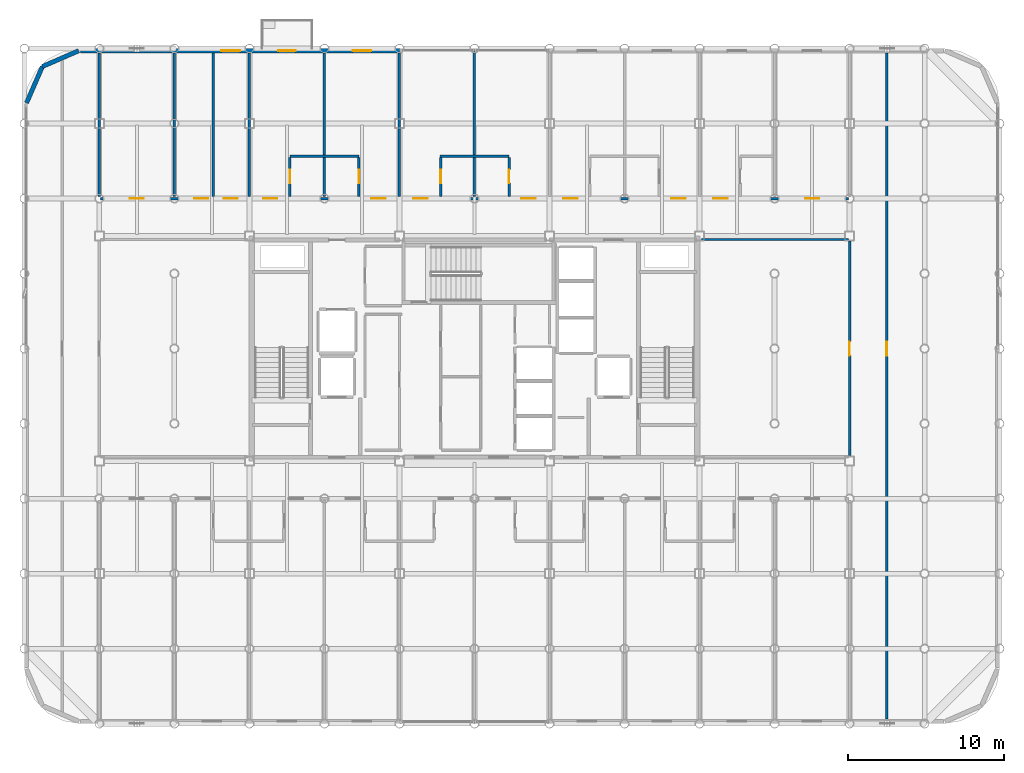
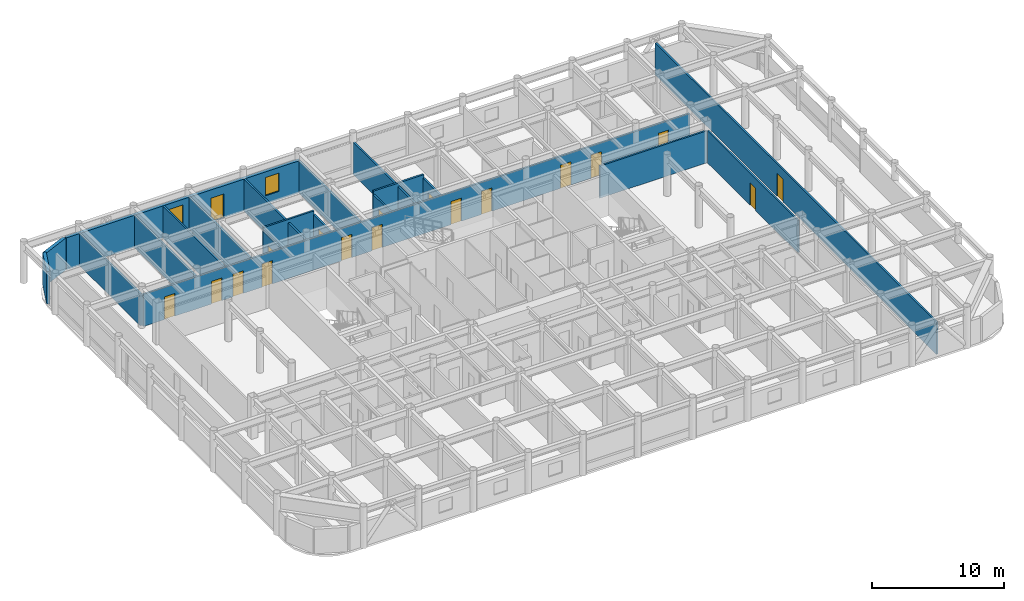
# One storey, part 20 of 23: 20 walls, 18 doors, 2 windows, 20 openings.
"""IFC4 building model written with IfcOpenShell, lengths in metres."""

from ifc_helpers import new_model, si_unit, direction, frame, frame_2d, origin, place, context, subcontext, project, spatial, rectangle, extrude, material, layer, layer_set, type_object, element, fill, save


model = new_model("IFC4")

# Units and contexts
model_context = context("Model", 3, precision=1e-05, world=origin(), true_north=direction((0.0, 1.0)))
body_context = subcontext(model_context, "Body", "Model", "MODEL_VIEW")
ifc_project = project(units=[si_unit("LENGTHUNIT", "METRE"), si_unit("AREAUNIT", "SQUARE_METRE"), si_unit("VOLUMEUNIT", "CUBIC_METRE"), si_unit("PLANEANGLEUNIT", "RADIAN"), si_unit("MASSUNIT", "GRAM", prefix="KILO")], contexts=[model_context])

# Site, building, storey
site_placement = place(None, origin())
site = spatial("IfcSite", under=ifc_project, at=site_placement, CompositionType="ELEMENT")
building_placement = place(site_placement, origin())
building = spatial("IfcBuilding", under=site, at=building_placement, Name="Kallvorn Hotel Tower", CompositionType="ELEMENT")
storey_placement = place(building_placement, frame((0.0, 0.0, 195.35009765625)))
storey = spatial("IfcBuildingStorey", under=building, at=storey_placement, Name="L48", CompositionType="ELEMENT", Elevation=195.35009765625)

# Wall, openings, doors
ifc_material_1 = material(Name="Fire-rated double-layer acoustic gypsum drywall EI 60")
ifc_layer_1 = layer(ifc_material_1, 0.159912109375)
ifc_layer_set_1 = layer_set([ifc_layer_1], Name="WL_DEMISE_160")
wall_type_1 = type_object("IfcWallType", Name="WL_DEMISE_160", PredefinedType="PARTITIONING", material=ifc_layer_set_1)
wall_1_placement = place(storey_placement, frame((-23.919921875, 9.60009765625, 0.0), z_axis=(0.0, 0.0, 1.0), x_axis=(1.0, 0.0, 0.0)))
wall_1 = element("IfcWall", 1, at=wall_1_placement, inside=storey, type_object=wall_type_1, Name="L48 Suite 4809 Standard Twin Room Partition", PredefinedType="PARTITIONING", context=body_context, shape_type="SweptSolid", body=[
    extrude(rectangle(XDim=47.83984375, YDim=0.159912109375, at=frame_2d((23.919921875, 0.0))), origin(), (0.0, 0.0, 1.0), 2.969970703125),
])
opening_1_placement = place(wall_1_placement, frame((1.8701171875, 0.0, 0.0)))
opening_1 = element("IfcOpeningElement", 2, at=opening_1_placement, cuts=wall_1, Name="Opening SVD1", PredefinedType="OPENING", context=body_context, shape_type="SweptSolid", body=[
    extrude(rectangle(XDim=0.89990234375, YDim=2.10009765625, at=frame_2d((0.449951171875, 1.050048828125))), frame((0.0, 0.094970703125, 0.0), z_axis=(0.0, -1.0, 0.0), x_axis=(1.0, 0.0, 0.0)), (0.0, 0.0, 1.0), 0.18994140625),
])
opening_2_placement = place(wall_1_placement, frame((45.070068359375, 0.0, 0.0)))
opening_2 = element("IfcOpeningElement", 3, at=opening_2_placement, cuts=wall_1, Name="Opening SVD1", PredefinedType="OPENING", context=body_context, shape_type="SweptSolid", body=[
    extrude(rectangle(XDim=0.89990234375, YDim=2.10009765625, at=frame_2d((0.449951171875, 1.050048828125))), frame((0.0, 0.094970703125, 0.0), z_axis=(0.0, -1.0, 0.0), x_axis=(1.0, 0.0, 0.0)), (0.0, 0.0, 1.0), 0.18994140625),
])
opening_3_placement = place(wall_1_placement, frame((5.97998046875, 0.0, 0.0)))
opening_3 = element("IfcOpeningElement", 4, at=opening_3_placement, cuts=wall_1, Name="Opening SVD1", PredefinedType="OPENING", context=body_context, shape_type="SweptSolid", body=[
    extrude(rectangle(XDim=0.89990234375, YDim=2.10009765625, at=frame_2d((0.449951171875, 1.050048828125))), frame((0.0, 0.094970703125, 0.0), z_axis=(0.0, -1.0, 0.0), x_axis=(1.0, 0.0, 0.0)), (0.0, 0.0, 1.0), 0.18994140625),
])
opening_4_placement = place(wall_1_placement, frame((7.8701171875, 0.0, 0.0)))
opening_4 = element("IfcOpeningElement", 5, at=opening_4_placement, cuts=wall_1, Name="Opening SVD1", PredefinedType="OPENING", context=body_context, shape_type="SweptSolid", body=[
    extrude(rectangle(XDim=0.89990234375, YDim=2.10009765625, at=frame_2d((0.449951171875, 1.050048828125))), frame((0.0, 0.094970703125, 0.0), z_axis=(0.0, -1.0, 0.0), x_axis=(1.0, 0.0, 0.0)), (0.0, 0.0, 1.0), 0.18994140625),
])
opening_5_placement = place(wall_1_placement, frame((10.39501953125, 0.0, 0.0)))
opening_5 = element("IfcOpeningElement", 6, at=opening_5_placement, cuts=wall_1, Name="Opening GD1", PredefinedType="OPENING", context=body_context, shape_type="SweptSolid", body=[
    extrude(rectangle(XDim=0.919921875, YDim=2.14990234375, at=frame_2d((0.4599609375, 1.074951171875))), frame((0.0, 0.094970703125, 0.0), z_axis=(0.0, -1.0, 0.0), x_axis=(1.0, 0.0, 0.0)), (0.0, 0.0, 1.0), 0.18994140625),
])
opening_6_placement = place(wall_1_placement, frame((17.324951171875, 0.0, 0.0)))
opening_6 = element("IfcOpeningElement", 7, at=opening_6_placement, cuts=wall_1, Name="Opening GD1", PredefinedType="OPENING", context=body_context, shape_type="SweptSolid", body=[
    extrude(rectangle(XDim=0.919921875, YDim=2.14990234375, at=frame_2d((0.4599609375, 1.074951171875))), frame((0.0, 0.094970703125, 0.0), z_axis=(0.0, -1.0, 0.0), x_axis=(1.0, 0.0, 0.0)), (0.0, 0.0, 1.0), 0.18994140625),
])
opening_7_placement = place(wall_1_placement, frame((19.9951171875, 0.0, 0.0)))
opening_7 = element("IfcOpeningElement", 8, at=opening_7_placement, cuts=wall_1, Name="Opening GD1", PredefinedType="OPENING", context=body_context, shape_type="SweptSolid", body=[
    extrude(rectangle(XDim=0.919921875, YDim=2.14990234375, at=frame_2d((0.4599609375, 1.074951171875))), frame((0.0, 0.094970703125, 0.0), z_axis=(0.0, -1.0, 0.0), x_axis=(1.0, 0.0, 0.0)), (0.0, 0.0, 1.0), 0.18994140625),
])
opening_8_placement = place(wall_1_placement, frame((26.925048828125, 0.0, 0.0)))
opening_8 = element("IfcOpeningElement", 9, at=opening_8_placement, cuts=wall_1, Name="Opening GD1", PredefinedType="OPENING", context=body_context, shape_type="SweptSolid", body=[
    extrude(rectangle(XDim=0.919921875, YDim=2.14990234375, at=frame_2d((0.4599609375, 1.074951171875))), frame((0.0, 0.094970703125, 0.0), z_axis=(0.0, -1.0, 0.0), x_axis=(1.0, 0.0, 0.0)), (0.0, 0.0, 1.0), 0.18994140625),
])
opening_9_placement = place(wall_1_placement, frame((29.594970703125, 0.0, 0.0)))
opening_9 = element("IfcOpeningElement", 10, at=opening_9_placement, cuts=wall_1, Name="Opening GD1", PredefinedType="OPENING", context=body_context, shape_type="SweptSolid", body=[
    extrude(rectangle(XDim=0.919921875, YDim=2.14990234375, at=frame_2d((0.4599609375, 1.074951171875))), frame((0.0, 0.094970703125, 0.0), z_axis=(0.0, -1.0, 0.0), x_axis=(1.0, 0.0, 0.0)), (0.0, 0.0, 1.0), 0.18994140625),
])
opening_10_placement = place(wall_1_placement, frame((36.52490234375, 0.0, 0.0)))
opening_10 = element("IfcOpeningElement", 11, at=opening_10_placement, cuts=wall_1, Name="Opening GD1", PredefinedType="OPENING", context=body_context, shape_type="SweptSolid", body=[
    extrude(rectangle(XDim=0.919921875, YDim=2.14990234375, at=frame_2d((0.4599609375, 1.074951171875))), frame((0.0, 0.094970703125, 0.0), z_axis=(0.0, -1.0, 0.0), x_axis=(1.0, 0.0, 0.0)), (0.0, 0.0, 1.0), 0.18994140625),
])
opening_11_placement = place(wall_1_placement, frame((39.195068359375, 0.0, 0.0)))
opening_11 = element("IfcOpeningElement", 12, at=opening_11_placement, cuts=wall_1, Name="Opening GD1", PredefinedType="OPENING", context=body_context, shape_type="SweptSolid", body=[
    extrude(rectangle(XDim=0.919921875, YDim=2.14990234375, at=frame_2d((0.4599609375, 1.074951171875))), frame((0.0, 0.094970703125, 0.0), z_axis=(0.0, -1.0, 0.0), x_axis=(1.0, 0.0, 0.0)), (0.0, 0.0, 1.0), 0.18994140625),
])
ifc_material_2 = material(Name="Solid-core walnut veneer fire-rated timber door leaf", Category="wood")
door_type_1 = type_object("IfcDoorType", Name="DR_GUEST_920x2150", OperationType="NOTDEFINED", PredefinedType="DOOR", material=ifc_material_2)
door_1_placement = place(opening_5_placement, origin())
door_1 = element("IfcDoor", 13, at=door_1_placement, inside=storey, type_object=door_type_1, Name="L48 Suite 4809 Standard Twin Room Door", OperationType="SINGLE_SWING_RIGHT", OverallHeight=2.14990234375, OverallWidth=0.919921875, PredefinedType="DOOR", context=body_context, shape_type="SweptSolid", body=[
    extrude(rectangle(XDim=0.919921875, YDim=2.14990234375, at=frame_2d((0.4599609375, 1.074951171875))), frame((0.0, 0.02490234375, 0.0), z_axis=(0.0, -1.0, 0.0), x_axis=(1.0, 0.0, 0.0)), (0.0, 0.0, 1.0), 0.050048828125),
])
fill(opening_5, door_1)
door_2_placement = place(opening_6_placement, origin())
door_2 = element("IfcDoor", 14, at=door_2_placement, inside=storey, type_object=door_type_1, Name="L48 Suite 4810 Standard Twin Room Door", OperationType="SINGLE_SWING_LEFT", OverallHeight=2.14990234375, OverallWidth=0.919921875, PredefinedType="DOOR", context=body_context, shape_type="SweptSolid", body=[
    extrude(rectangle(XDim=0.919921875, YDim=2.14990234375, at=frame_2d((0.4599609375, 1.074951171875))), frame((0.0, 0.02490234375, 0.0), z_axis=(0.0, -1.0, 0.0), x_axis=(1.0, 0.0, 0.0)), (0.0, 0.0, 1.0), 0.050048828125),
])
fill(opening_6, door_2)
door_3_placement = place(opening_7_placement, origin())
door_3 = element("IfcDoor", 15, at=door_3_placement, inside=storey, type_object=door_type_1, Name="L48 Suite 4811 Standard Twin Room Door", OperationType="SINGLE_SWING_LEFT", OverallHeight=2.14990234375, OverallWidth=0.919921875, PredefinedType="DOOR", context=body_context, shape_type="SweptSolid", body=[
    extrude(rectangle(XDim=0.919921875, YDim=2.14990234375, at=frame_2d((0.4599609375, 1.074951171875))), frame((0.0, 0.02490234375, 0.0), z_axis=(0.0, -1.0, 0.0), x_axis=(1.0, 0.0, 0.0)), (0.0, 0.0, 1.0), 0.050048828125),
])
fill(opening_7, door_3)
door_4_placement = place(opening_8_placement, origin())
door_4 = element("IfcDoor", 16, at=door_4_placement, inside=storey, type_object=door_type_1, Name="L48 Suite 4812 Standard Twin Room Door", OperationType="SINGLE_SWING_RIGHT", OverallHeight=2.14990234375, OverallWidth=0.919921875, PredefinedType="DOOR", context=body_context, shape_type="SweptSolid", body=[
    extrude(rectangle(XDim=0.919921875, YDim=2.14990234375, at=frame_2d((0.4599609375, 1.074951171875))), frame((0.0, 0.02490234375, 0.0), z_axis=(0.0, -1.0, 0.0), x_axis=(1.0, 0.0, 0.0)), (0.0, 0.0, 1.0), 0.050048828125),
])
fill(opening_8, door_4)
door_5_placement = place(opening_9_placement, origin())
door_5 = element("IfcDoor", 17, at=door_5_placement, inside=storey, type_object=door_type_1, Name="L48 Suite 4813 Standard Twin Room Door", OperationType="SINGLE_SWING_LEFT", OverallHeight=2.14990234375, OverallWidth=0.919921875, PredefinedType="DOOR", context=body_context, shape_type="SweptSolid", body=[
    extrude(rectangle(XDim=0.919921875, YDim=2.14990234375, at=frame_2d((0.4599609375, 1.074951171875))), frame((0.0, 0.02490234375, 0.0), z_axis=(0.0, -1.0, 0.0), x_axis=(1.0, 0.0, 0.0)), (0.0, 0.0, 1.0), 0.050048828125),
])
fill(opening_9, door_5)
door_6_placement = place(opening_10_placement, origin())
door_6 = element("IfcDoor", 18, at=door_6_placement, inside=storey, type_object=door_type_1, Name="L48 Suite 4814 Standard Twin Room Door", OperationType="SINGLE_SWING_RIGHT", OverallHeight=2.14990234375, OverallWidth=0.919921875, PredefinedType="DOOR", context=body_context, shape_type="SweptSolid", body=[
    extrude(rectangle(XDim=0.919921875, YDim=2.14990234375, at=frame_2d((0.4599609375, 1.074951171875))), frame((0.0, 0.02490234375, 0.0), z_axis=(0.0, -1.0, 0.0), x_axis=(1.0, 0.0, 0.0)), (0.0, 0.0, 1.0), 0.050048828125),
])
fill(opening_10, door_6)
door_7_placement = place(opening_11_placement, origin())
door_7 = element("IfcDoor", 19, at=door_7_placement, inside=storey, type_object=door_type_1, Name="L48 Suite 4815 Standard Twin Room Door", OperationType="SINGLE_SWING_LEFT", OverallHeight=2.14990234375, OverallWidth=0.919921875, PredefinedType="DOOR", context=body_context, shape_type="SweptSolid", body=[
    extrude(rectangle(XDim=0.919921875, YDim=2.14990234375, at=frame_2d((0.4599609375, 1.074951171875))), frame((0.0, 0.02490234375, 0.0), z_axis=(0.0, -1.0, 0.0), x_axis=(1.0, 0.0, 0.0)), (0.0, 0.0, 1.0), 0.050048828125),
])
fill(opening_11, door_7)
ifc_material_3 = material(Name="Galvanised painted steel fire-rated door assembly", Category="steel")
door_type_2 = type_object("IfcDoorType", Name="DR_SERV_900x2100", OperationType="NOTDEFINED", PredefinedType="DOOR", material=ifc_material_3)
door_8_placement = place(opening_1_placement, origin())
door_8 = element("IfcDoor", 20, at=door_8_placement, inside=storey, type_object=door_type_2, Name="L48 L48 High-Zone North-West Reading Salon Door", OperationType="SINGLE_SWING_LEFT", OverallHeight=2.10009765625, OverallWidth=0.89990234375, PredefinedType="DOOR", context=body_context, shape_type="SweptSolid", body=[
    extrude(rectangle(XDim=0.89990234375, YDim=2.10009765625, at=frame_2d((0.449951171875, 1.050048828125))), frame((0.0, 0.02490234375, 0.0), z_axis=(0.0, -1.0, 0.0), x_axis=(1.0, 0.0, 0.0)), (0.0, 0.0, 1.0), 0.050048828125),
])
fill(opening_1, door_8)
door_9_placement = place(opening_2_placement, origin())
door_9 = element("IfcDoor", 21, at=door_9_placement, inside=storey, type_object=door_type_2, Name="L48 L48 High-Zone North-East Pastry Bar Door", OperationType="SINGLE_SWING_RIGHT", OverallHeight=2.10009765625, OverallWidth=0.89990234375, PredefinedType="DOOR", context=body_context, shape_type="SweptSolid", body=[
    extrude(rectangle(XDim=0.89990234375, YDim=2.10009765625, at=frame_2d((0.449951171875, 1.050048828125))), frame((0.0, 0.02490234375, 0.0), z_axis=(0.0, -1.0, 0.0), x_axis=(1.0, 0.0, 0.0)), (0.0, 0.0, 1.0), 0.050048828125),
])
fill(opening_2, door_9)
door_10_placement = place(opening_3_placement, origin())
door_10 = element("IfcDoor", 22, at=door_10_placement, inside=storey, type_object=door_type_2, Name="L48 Housekeeping and Linen Room Door", OperationType="SINGLE_SWING_LEFT", OverallHeight=2.10009765625, OverallWidth=0.89990234375, PredefinedType="DOOR", context=body_context, shape_type="SweptSolid", body=[
    extrude(rectangle(XDim=0.89990234375, YDim=2.10009765625, at=frame_2d((0.449951171875, 1.050048828125))), frame((0.0, 0.02490234375, 0.0), z_axis=(0.0, -1.0, 0.0), x_axis=(1.0, 0.0, 0.0)), (0.0, 0.0, 1.0), 0.050048828125),
])
fill(opening_3, door_10)
door_11_placement = place(opening_4_placement, origin())
door_11 = element("IfcDoor", 23, at=door_11_placement, inside=storey, type_object=door_type_2, Name="L48 Guest Tea and Refreshment Bar Door", OperationType="SINGLE_SWING_LEFT", OverallHeight=2.10009765625, OverallWidth=0.89990234375, PredefinedType="DOOR", context=body_context, shape_type="SweptSolid", body=[
    extrude(rectangle(XDim=0.89990234375, YDim=2.10009765625, at=frame_2d((0.449951171875, 1.050048828125))), frame((0.0, 0.02490234375, 0.0), z_axis=(0.0, -1.0, 0.0), x_axis=(1.0, 0.0, 0.0)), (0.0, 0.0, 1.0), 0.050048828125),
])
fill(opening_4, door_11)

# Walls
wall_2_placement = place(storey_placement, frame((-11.81005859375, 12.320068359375, 0.0), z_axis=(0.0, 0.0, 1.0), x_axis=(1.0, 0.0, 0.0)))
element("IfcWall", 24, at=wall_2_placement, inside=storey, type_object=wall_type_1, Name="L48 Suite 4809 Standard Twin Room Partition", PredefinedType="PARTITIONING", context=body_context, shape_type="SweptSolid", body=[
    extrude(rectangle(XDim=4.420166015625, YDim=0.159912109375, at=frame_2d((2.2099609375, 0.0))), origin(), (0.0, 0.0, 1.0), 3.27001953125),
])
wall_3_placement = place(storey_placement, frame((-2.2099609375, 12.320068359375, 0.0), z_axis=(0.0, 0.0, 1.0), x_axis=(1.0, 0.0, 0.0)))
element("IfcWall", 25, at=wall_3_placement, inside=storey, type_object=wall_type_1, Name="L48 Suite 4811 Standard Twin Room Partition", PredefinedType="PARTITIONING", context=body_context, shape_type="SweptSolid", body=[
    extrude(rectangle(XDim=4.419921875, YDim=0.159912109375, at=frame_2d((2.2099609375, 0.0))), origin(), (0.0, 0.0, 1.0), 3.27001953125),
])
wall_4_placement = place(storey_placement, frame((-14.39990234375, 9.719970703125, 0.0), z_axis=(0.0, 0.0, 1.0), x_axis=(0.0, 1.0, 0.0)))
element("IfcWall", 26, at=wall_4_placement, inside=storey, type_object=wall_type_1, Name="L48 Suite 4809 Standard Twin Room Partition", PredefinedType="PARTITIONING", context=body_context, shape_type="SweptSolid", body=[
    extrude(rectangle(XDim=9.18994140625, YDim=0.159912109375, at=frame_2d((4.594970703125, 0.0))), origin(), (0.0, 0.0, 1.0), 2.969970703125),
])

# Wall, opening, door
wall_5_placement = place(storey_placement, frame((-11.81005859375, 9.719970703125, 0.0), z_axis=(0.0, 0.0, 1.0), x_axis=(0.0, 1.0, 0.0)))
wall_5 = element("IfcWall", 27, at=wall_5_placement, inside=storey, type_object=wall_type_1, Name="L48 Suite 4809 Standard Twin Room Partition", PredefinedType="PARTITIONING", context=body_context, shape_type="SweptSolid", body=[
    extrude(rectangle(XDim=2.51513671875, YDim=0.159912109375, at=frame_2d((1.257568359375, 0.0))), origin(), (0.0, 0.0, 1.0), 2.969970703125),
])
opening_12_placement = place(wall_5_placement, frame((0.8701171875, 0.0, 0.0)))
opening_12 = element("IfcOpeningElement", 28, at=opening_12_placement, cuts=wall_5, Name="Opening BD-I", PredefinedType="OPENING", context=body_context, shape_type="SweptSolid", body=[
    extrude(rectangle(XDim=0.860107421875, YDim=2.10009765625, at=frame_2d((0.43017578125, 1.050048828125))), frame((0.0, 0.094970703125, 0.0), z_axis=(0.0, -1.0, 0.0), x_axis=(1.0, 0.0, 0.0)), (0.0, 0.0, 1.0), 0.18994140625),
])
ifc_material_4 = material(Name="Solid-core walnut veneer fire-rated timber door leaf", Category="wood")
door_type_3 = type_object("IfcDoorType", Name="DR_BATH_860x2100", OperationType="NOTDEFINED", PredefinedType="DOOR", material=ifc_material_4)
door_12_placement = place(opening_12_placement, origin())
door_12 = element("IfcDoor", 29, at=door_12_placement, inside=storey, type_object=door_type_3, Name="L48 Suite 4809 En-Suite Bathroom Door", OperationType="SINGLE_SWING_RIGHT", OverallHeight=2.10009765625, OverallWidth=0.860107421875, PredefinedType="DOOR", context=body_context, shape_type="SweptSolid", body=[
    extrude(rectangle(XDim=0.860107421875, YDim=2.10009765625, at=frame_2d((0.43017578125, 1.050048828125))), frame((0.0, 0.02490234375, 0.0), z_axis=(0.0, -1.0, 0.0), x_axis=(1.0, 0.0, 0.0)), (0.0, 0.0, 1.0), 0.050048828125),
])
fill(opening_12, door_12)

# Wall
wall_6_placement = place(storey_placement, frame((-9.60009765625, 9.719970703125, 0.0), z_axis=(0.0, 0.0, 1.0), x_axis=(0.0, 1.0, 0.0)))
element("IfcWall", 30, at=wall_6_placement, inside=storey, type_object=wall_type_1, Name="L48 Suite 4809 Standard Twin Room Partition", PredefinedType="PARTITIONING", context=body_context, shape_type="SweptSolid", body=[
    extrude(rectangle(XDim=9.18994140625, YDim=0.159912109375, at=frame_2d((4.594970703125, 0.0))), origin(), (0.0, 0.0, 1.0), 2.969970703125),
])

# Wall, opening, door
wall_7_placement = place(storey_placement, frame((-7.389892578125, 9.719970703125, 0.0), z_axis=(0.0, 0.0, 1.0), x_axis=(0.0, 1.0, 0.0)))
wall_7 = element("IfcWall", 31, at=wall_7_placement, inside=storey, type_object=wall_type_1, Name="L48 Suite 4810 Standard Twin Room Partition", PredefinedType="PARTITIONING", context=body_context, shape_type="SweptSolid", body=[
    extrude(rectangle(XDim=2.51513671875, YDim=0.159912109375, at=frame_2d((1.257568359375, 0.0))), origin(), (0.0, 0.0, 1.0), 2.969970703125),
])
opening_13_placement = place(wall_7_placement, frame((0.8701171875, 0.0, 0.0)))
opening_13 = element("IfcOpeningElement", 32, at=opening_13_placement, cuts=wall_7, Name="Opening BD-I", PredefinedType="OPENING", context=body_context, shape_type="SweptSolid", body=[
    extrude(rectangle(XDim=0.860107421875, YDim=2.10009765625, at=frame_2d((0.43017578125, 1.050048828125))), frame((0.0, 0.094970703125, 0.0), z_axis=(0.0, -1.0, 0.0), x_axis=(1.0, 0.0, 0.0)), (0.0, 0.0, 1.0), 0.18994140625),
])
door_13_placement = place(opening_13_placement, origin())
door_13 = element("IfcDoor", 33, at=door_13_placement, inside=storey, type_object=door_type_3, Name="L48 Suite 4810 En-Suite Bathroom Door", OperationType="SINGLE_SWING_LEFT", OverallHeight=2.10009765625, OverallWidth=0.860107421875, PredefinedType="DOOR", context=body_context, shape_type="SweptSolid", body=[
    extrude(rectangle(XDim=0.860107421875, YDim=2.10009765625, at=frame_2d((0.43017578125, 1.050048828125))), frame((0.0, 0.02490234375, 0.0), z_axis=(0.0, -1.0, 0.0), x_axis=(1.0, 0.0, 0.0)), (0.0, 0.0, 1.0), 0.050048828125),
])
fill(opening_13, door_13)

# Wall
wall_8_placement = place(storey_placement, frame((-4.800048828125, 9.719970703125, 0.0), z_axis=(0.0, 0.0, 1.0), x_axis=(0.0, 1.0, 0.0)))
element("IfcWall", 34, at=wall_8_placement, inside=storey, type_object=wall_type_1, Name="L48 Suite 4810 Standard Twin Room Partition", PredefinedType="PARTITIONING", context=body_context, shape_type="SweptSolid", body=[
    extrude(rectangle(XDim=9.18994140625, YDim=0.159912109375, at=frame_2d((4.594970703125, 0.0))), origin(), (0.0, 0.0, 1.0), 2.969970703125),
])

# Wall, opening, door
wall_9_placement = place(storey_placement, frame((-2.155029296875, 9.719970703125, 0.0), z_axis=(0.0, 0.0, 1.0), x_axis=(0.0, 1.0, 0.0)))
wall_9 = element("IfcWall", 35, at=wall_9_placement, inside=storey, type_object=wall_type_1, Name="L48 Suite 4811 Standard Twin Room Partition", PredefinedType="PARTITIONING", context=body_context, shape_type="SweptSolid", body=[
    extrude(rectangle(XDim=2.51513671875, YDim=0.159912109375, at=frame_2d((1.257568359375, 0.0))), origin(), (0.0, 0.0, 1.0), 2.969970703125),
])
opening_14_placement = place(wall_9_placement, frame((0.8701171875, 0.0, 0.0)))
opening_14 = element("IfcOpeningElement", 36, at=opening_14_placement, cuts=wall_9, Name="Opening BD-I", PredefinedType="OPENING", context=body_context, shape_type="SweptSolid", body=[
    extrude(rectangle(XDim=0.860107421875, YDim=2.10009765625, at=frame_2d((0.43017578125, 1.050048828125))), frame((0.0, 0.094970703125, 0.0), z_axis=(0.0, -1.0, 0.0), x_axis=(1.0, 0.0, 0.0)), (0.0, 0.0, 1.0), 0.18994140625),
])
door_14_placement = place(opening_14_placement, origin())
door_14 = element("IfcDoor", 37, at=door_14_placement, inside=storey, type_object=door_type_3, Name="L48 Suite 4811 En-Suite Bathroom Door", OperationType="SINGLE_SWING_RIGHT", OverallHeight=2.10009765625, OverallWidth=0.860107421875, PredefinedType="DOOR", context=body_context, shape_type="SweptSolid", body=[
    extrude(rectangle(XDim=0.860107421875, YDim=2.10009765625, at=frame_2d((0.43017578125, 1.050048828125))), frame((0.0, 0.02490234375, 0.0), z_axis=(0.0, -1.0, 0.0), x_axis=(1.0, 0.0, 0.0)), (0.0, 0.0, 1.0), 0.050048828125),
])
fill(opening_14, door_14)

# Wall
wall_10_placement = place(storey_placement, frame((0.0, 9.719970703125, 0.0), z_axis=(0.0, 0.0, 1.0), x_axis=(0.0, 1.0, 0.0)))
element("IfcWall", 38, at=wall_10_placement, inside=storey, type_object=wall_type_1, Name="L48 Suite 4811 Standard Twin Room Partition", PredefinedType="PARTITIONING", context=body_context, shape_type="SweptSolid", body=[
    extrude(rectangle(XDim=9.275146484375, YDim=0.159912109375, at=frame_2d((4.6376953125, 0.0))), origin(), (0.0, 0.0, 1.0), 2.969970703125),
])

# Wall, opening, door
wall_11_placement = place(storey_placement, frame((2.2099609375, 9.719970703125, 0.0), z_axis=(0.0, 0.0, 1.0), x_axis=(0.0, 1.0, 0.0)))
wall_11 = element("IfcWall", 39, at=wall_11_placement, inside=storey, type_object=wall_type_1, Name="L48 Suite 4812 Standard Twin Room Partition", PredefinedType="PARTITIONING", context=body_context, shape_type="SweptSolid", body=[
    extrude(rectangle(XDim=2.51513671875, YDim=0.159912109375, at=frame_2d((1.257568359375, 0.0))), origin(), (0.0, 0.0, 1.0), 2.969970703125),
])
opening_15_placement = place(wall_11_placement, frame((0.8701171875, 0.0, 0.0)))
opening_15 = element("IfcOpeningElement", 40, at=opening_15_placement, cuts=wall_11, Name="Opening BD-I", PredefinedType="OPENING", context=body_context, shape_type="SweptSolid", body=[
    extrude(rectangle(XDim=0.860107421875, YDim=2.10009765625, at=frame_2d((0.43017578125, 1.050048828125))), frame((0.0, 0.094970703125, 0.0), z_axis=(0.0, -1.0, 0.0), x_axis=(1.0, 0.0, 0.0)), (0.0, 0.0, 1.0), 0.18994140625),
])
door_15_placement = place(opening_15_placement, origin())
door_15 = element("IfcDoor", 41, at=door_15_placement, inside=storey, type_object=door_type_3, Name="L48 Suite 4812 En-Suite Bathroom Door", OperationType="SINGLE_SWING_RIGHT", OverallHeight=2.10009765625, OverallWidth=0.860107421875, PredefinedType="DOOR", context=body_context, shape_type="SweptSolid", body=[
    extrude(rectangle(XDim=0.860107421875, YDim=2.10009765625, at=frame_2d((0.43017578125, 1.050048828125))), frame((0.0, 0.02490234375, 0.0), z_axis=(0.0, -1.0, 0.0), x_axis=(1.0, 0.0, 0.0)), (0.0, 0.0, 1.0), 0.050048828125),
])
fill(opening_15, door_15)

# Walls
ifc_material_5 = material(Name="Precast basalt-clad insulated concrete wall C40/50", Category="masonry")
ifc_layer_2 = layer(ifc_material_5, 0.280029296875)
ifc_layer_set_2 = layer_set([ifc_layer_2], Name="WL_EXT_LOGGIA_280")
wall_type_2 = type_object("IfcWallType", Name="WL_EXT_LOGGIA_280", PredefinedType="SOLIDWALL", material=ifc_layer_set_2)
wall_12_placement = place(storey_placement, frame((-25.32080078125, 19.057861328125, 0.0), z_axis=(0.0, 0.0, 1.0), x_axis=(-0.917060872934, -0.398747232384, 0.0)))
element("IfcWall", 42, at=wall_12_placement, inside=storey, type_object=wall_type_2, Name="L48 Rounded Corner Exterior Wall NW1", PredefinedType="SOLIDWALL", context=body_context, shape_type="SweptSolid", body=[
    extrude(rectangle(XDim=2.5361328125, YDim=0.280029296875, at=frame_2d((1.26806640625, 0.0))), origin(), (0.0, 0.0, 1.0), 2.969970703125),
])
wall_13_placement = place(storey_placement, frame((-27.646484375, 18.046630859375, 0.0), z_axis=(0.0, 0.0, 1.0), x_axis=(-0.398792985289, -0.917040977756, 0.0)))
element("IfcWall", 43, at=wall_13_placement, inside=storey, type_object=wall_type_2, Name="L48 Rounded Corner Exterior Wall NW2", PredefinedType="SOLIDWALL", context=body_context, shape_type="SweptSolid", body=[
    extrude(rectangle(XDim=2.536376953125, YDim=0.280029296875, at=frame_2d((1.26806640625, 0.0))), origin(), (0.0, 0.0, 1.0), 3.02001953125),
])

# Wall, openings, door, windows
wall_14_placement = place(storey_placement, frame((-25.199951171875, 19.06005859375, 0.0), z_axis=(0.0, 0.0, 1.0), x_axis=(1.0, 0.0, 0.0)))
wall_14 = element("IfcWall", 44, at=wall_14_placement, inside=storey, type_object=wall_type_2, Name="L48 Exterior Envelope Wall EW-L48-NW", PredefinedType="SOLIDWALL", context=body_context, shape_type="SweptSolid", body=[
    extrude(rectangle(XDim=20.449951171875, YDim=0.280029296875, at=frame_2d((10.22509765625, 0.0))), origin(), (0.0, 0.0, 1.0), 2.969970703125),
])
opening_16_placement = place(wall_14_placement, frame((9.0, 0.0, 0.75)))
opening_16 = element("IfcOpeningElement", 45, at=opening_16_placement, cuts=wall_14, Name="Opening W06", PredefinedType="OPENING", context=body_context, shape_type="SweptSolid", body=[
    extrude(rectangle(XDim=1.199951171875, YDim=1.699951171875, at=frame_2d((0.60009765625, 0.85009765625))), frame((0.0, 0.155029296875, 0.0), z_axis=(0.0, -1.0, 0.0), x_axis=(1.0, 0.0, 0.0)), (0.0, 0.0, 1.0), 0.31005859375),
])
opening_17_placement = place(wall_14_placement, frame((12.64990234375, 0.0, 0.0)))
opening_17 = element("IfcOpeningElement", 46, at=opening_17_placement, cuts=wall_14, Name="Opening BD1", PredefinedType="OPENING", context=body_context, shape_type="SweptSolid", body=[
    extrude(rectangle(XDim=1.10009765625, YDim=2.199951171875, at=frame_2d((0.550048828125, 1.10009765625))), frame((0.0, 0.155029296875, 0.0), z_axis=(0.0, -1.0, 0.0), x_axis=(1.0, 0.0, 0.0)), (0.0, 0.0, 1.0), 0.31005859375),
])
opening_18_placement = place(wall_14_placement, frame((17.39990234375, 0.0, 0.75)))
opening_18 = element("IfcOpeningElement", 47, at=opening_18_placement, cuts=wall_14, Name="Opening W06", PredefinedType="OPENING", context=body_context, shape_type="SweptSolid", body=[
    extrude(rectangle(XDim=1.199951171875, YDim=1.699951171875, at=frame_2d((0.60009765625, 0.85009765625))), frame((0.0, 0.155029296875, 0.0), z_axis=(0.0, -1.0, 0.0), x_axis=(1.0, 0.0, 0.0)), (0.0, 0.0, 1.0), 0.31005859375),
])
ifc_material_6 = material(Name="Double-glazed low-e solar-control dark glass", Category="glass")
door_type_4 = type_object("IfcDoorType", Name="DR_BALC_GLZ_1100x2200", OperationType="NOTDEFINED", PredefinedType="DOOR", material=ifc_material_6)
door_16_placement = place(opening_17_placement, origin())
door_16 = element("IfcDoor", 48, at=door_16_placement, inside=storey, type_object=door_type_4, Name="L48 Loggia Balcony Glazed Door BALC-L48-N1", OperationType="SINGLE_SWING_LEFT", OverallHeight=2.199951171875, OverallWidth=1.10009765625, PredefinedType="DOOR", context=body_context, shape_type="SweptSolid", body=[
    extrude(rectangle(XDim=1.10009765625, YDim=2.199951171875, at=frame_2d((0.550048828125, 1.10009765625))), frame((0.0, 0.02490234375, 0.0), z_axis=(0.0, -1.0, 0.0), x_axis=(1.0, 0.0, 0.0)), (0.0, 0.0, 1.0), 0.050048828125),
])
fill(opening_17, door_16)
ifc_material_7 = material(Name="Triple-glazed low-e acoustic solar-control dark glass", Category="glass")
window_type = type_object("IfcWindowType", Name="WN_HTL_1200x1700", PartitioningType="SINGLE_PANEL", PredefinedType="WINDOW", material=ifc_material_7)
window_1_placement = place(opening_16_placement, origin())
window_1 = element("IfcWindow", 49, at=window_1_placement, inside=storey, type_object=window_type, Name="L48 Guestroom Exterior Window 09", OverallHeight=1.699951171875, OverallWidth=1.199951171875, PartitioningType="SINGLE_PANEL", PredefinedType="WINDOW", context=body_context, shape_type="SweptSolid", body=[
    extrude(rectangle(XDim=1.199951171875, YDim=1.699951171875, at=frame_2d((0.60009765625, 0.85009765625))), frame((0.0, 0.030029296875, 0.0), z_axis=(0.0, -1.0, 0.0), x_axis=(1.0, 0.0, 0.0)), (0.0, 0.0, 1.0), 0.06005859375),
])
fill(opening_16, window_1)
window_2_placement = place(opening_18_placement, origin())
window_2 = element("IfcWindow", 50, at=window_2_placement, inside=storey, type_object=window_type, Name="L48 Guestroom Exterior Window 10", OverallHeight=1.699951171875, OverallWidth=1.199951171875, PartitioningType="SINGLE_PANEL", PredefinedType="WINDOW", context=body_context, shape_type="SweptSolid", body=[
    extrude(rectangle(XDim=1.199951171875, YDim=1.699951171875, at=frame_2d((0.60009765625, 0.85009765625))), frame((0.0, 0.030029296875, 0.0), z_axis=(0.0, -1.0, 0.0), x_axis=(1.0, 0.0, 0.0)), (0.0, 0.0, 1.0), 0.06005859375),
])
fill(opening_18, window_2)

# Walls
ifc_material_8 = material(Name="Fire-rated double-layer acoustic gypsum drywall EI 60")
ifc_layer_3 = layer(ifc_material_8, 0.14990234375)
ifc_layer_set_3 = layer_set([ifc_layer_3], Name="WL_PART_150")
wall_type_3 = type_object("IfcWallType", Name="WL_PART_150", PredefinedType="PARTITIONING", material=ifc_layer_set_3)
wall_15_placement = place(storey_placement, frame((14.52001953125, 6.97998046875, 0.0), z_axis=(0.0, 0.0, 1.0), x_axis=(1.0, 0.0, 0.0)))
element("IfcWall", 51, at=wall_15_placement, inside=storey, type_object=wall_type_3, Name="L48 L48 High-Zone Inner East Club Gallery Partition", PredefinedType="PARTITIONING", context=body_context, shape_type="SweptSolid", body=[
    extrude(rectangle(XDim=9.39990234375, YDim=0.14990234375, at=frame_2d((4.699951171875, 0.0))), origin(), (0.0, 0.0, 1.0), 2.969970703125),
])
for number, where, z_axis, x_axis, name in (
    (52, (-24.0, 9.719970703125, 0.0), (0.0, 0.0, 1.0), (0.0, 1.0, 0.0), "L48 L48 High-Zone North-West Reading Salon Partition"),
    (53, (-19.199951171875, 9.719970703125, 0.0), (0.0, 0.0, 1.0), (0.0, 1.0, 0.0), "L48 Housekeeping and Linen Room Partition"),
    (54, (-16.705078125, 9.719970703125, 0.0), (0.0, 0.0, 1.0), (0.0, 1.0, 0.0), "L48 Guest Tea and Refreshment Bar Partition"),
):
    element("IfcWall", number, at=place(storey_placement, frame(where, z_axis=z_axis, x_axis=x_axis)), inside=storey, type_object=wall_type_3, Name=name, PredefinedType="PARTITIONING", context=body_context, shape_type="SweptSolid", body=[
        extrude(rectangle(XDim=9.18994140625, YDim=0.14990234375, at=frame_2d((4.594970703125, 0.0))), origin(), (0.0, 0.0, 1.0), 2.969970703125),
    ])

# Wall, opening, door
wall_16_placement = place(storey_placement, frame((24.0, -6.8349609375, 0.0), z_axis=(0.0, 0.0, 1.0), x_axis=(0.0, 1.0, 0.0)))
wall_16 = element("IfcWall", 55, at=wall_16_placement, inside=storey, type_object=wall_type_3, Name="L48 L48 High-Zone Inner East Club Gallery Partition", PredefinedType="PARTITIONING", context=body_context, shape_type="SweptSolid", body=[
    extrude(rectangle(XDim=13.72998046875, YDim=0.14990234375, at=frame_2d((6.864990234375, 0.0))), origin(), (0.0, 0.0, 1.0), 2.969970703125),
])
opening_19_placement = place(wall_16_placement, frame((6.385009765625, 0.0, 0.0)))
opening_19 = element("IfcOpeningElement", 56, at=opening_19_placement, cuts=wall_16, Name="Opening SVD1", PredefinedType="OPENING", context=body_context, shape_type="SweptSolid", body=[
    extrude(rectangle(XDim=0.89990234375, YDim=2.10009765625, at=frame_2d((0.449951171875, 1.050048828125))), frame((0.0, 0.08984375, 0.0), z_axis=(0.0, -1.0, 0.0), x_axis=(1.0, 0.0, 0.0)), (0.0, 0.0, 1.0), 0.179931640625),
])
door_17_placement = place(opening_19_placement, origin())
door_17 = element("IfcDoor", 57, at=door_17_placement, inside=storey, type_object=door_type_2, Name="L48 L48 High-Zone Inner East Club Gallery Door", OperationType="SINGLE_SWING_LEFT", OverallHeight=2.10009765625, OverallWidth=0.89990234375, PredefinedType="DOOR", context=body_context, shape_type="SweptSolid", body=[
    extrude(rectangle(XDim=0.89990234375, YDim=2.10009765625, at=frame_2d((0.449951171875, 1.050048828125))), frame((0.0, 0.02490234375, 0.0), z_axis=(0.0, -1.0, 0.0), x_axis=(1.0, 0.0, 0.0)), (0.0, 0.0, 1.0), 0.050048828125),
])
fill(opening_19, door_17)

wall_17_placement = place(storey_placement, frame((26.3798828125, -23.7099609375, 0.0), z_axis=(0.0, 0.0, 1.0), x_axis=(0.0, 1.0, 0.0)))
wall_17 = element("IfcWall", 58, at=wall_17_placement, inside=storey, type_object=wall_type_3, Name="L48 L48 Outer East Sky Observatory Salon Partition", PredefinedType="PARTITIONING", context=body_context, shape_type="SweptSolid", body=[
    extrude(rectangle(XDim=42.619873046875, YDim=0.14990234375, at=frame_2d((21.31005859375, 0.0))), origin(), (0.0, 0.0, 1.0), 2.969970703125),
])
opening_20_placement = place(wall_17_placement, frame((23.260009765625, 0.0, 0.0)))
opening_20 = element("IfcOpeningElement", 59, at=opening_20_placement, cuts=wall_17, Name="Opening SVD1", PredefinedType="OPENING", context=body_context, shape_type="SweptSolid", body=[
    extrude(rectangle(XDim=0.89990234375, YDim=2.10009765625, at=frame_2d((0.449951171875, 1.050048828125))), frame((0.0, 0.08984375, 0.0), z_axis=(0.0, -1.0, 0.0), x_axis=(1.0, 0.0, 0.0)), (0.0, 0.0, 1.0), 0.179931640625),
])
door_18_placement = place(opening_20_placement, origin())
door_18 = element("IfcDoor", 60, at=door_18_placement, inside=storey, type_object=door_type_2, Name="L48 L48 Outer East Sky Observatory Salon Door", OperationType="SINGLE_SWING_LEFT", OverallHeight=2.10009765625, OverallWidth=0.89990234375, PredefinedType="DOOR", context=body_context, shape_type="SweptSolid", body=[
    extrude(rectangle(XDim=0.89990234375, YDim=2.10009765625, at=frame_2d((0.449951171875, 1.050048828125))), frame((0.0, 0.02490234375, 0.0), z_axis=(0.0, -1.0, 0.0), x_axis=(1.0, 0.0, 0.0)), (0.0, 0.0, 1.0), 0.050048828125),
])
fill(opening_20, door_18)

save(model, "model.ifc")
